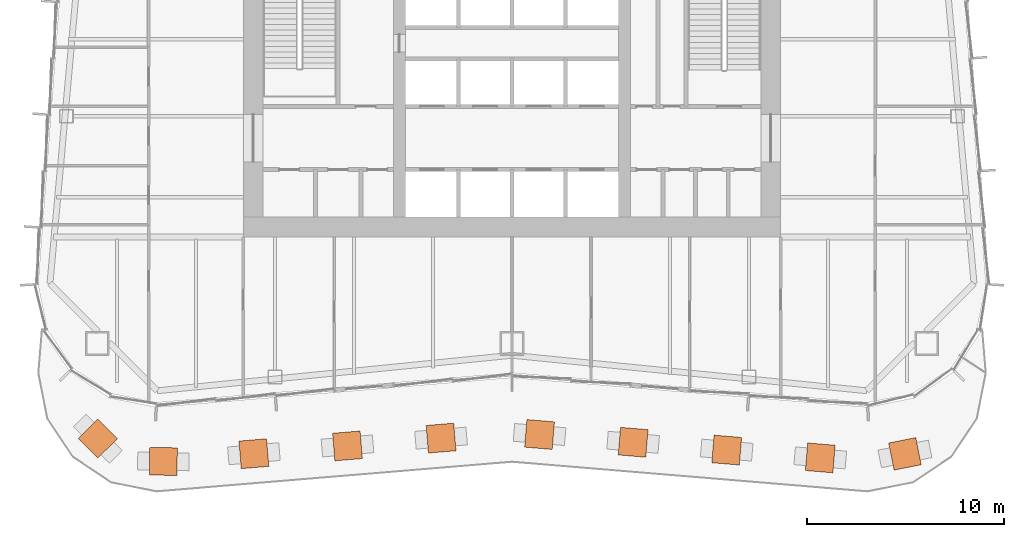
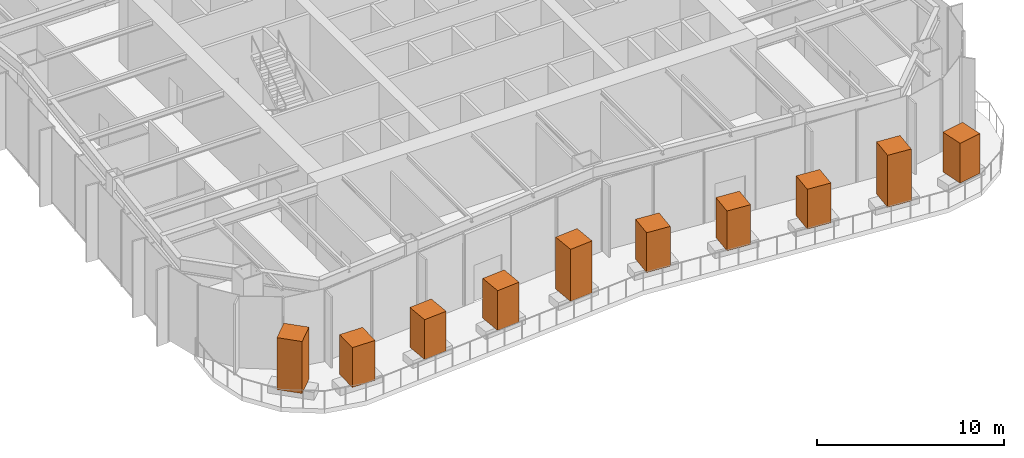
# One storey, part 15 of 15: 10 geographic elements.
"""IFC4 building model written with IfcOpenShell, lengths in metres."""

from ifc_helpers import new_model, si_unit, direction, frame, origin, origin_2d, place, context, subcontext, project, spatial, rectangle, extrude, material, type_object, element, save


model = new_model("IFC4")

# Units and contexts
model_context = context("Model", 3, precision=1e-05, world=origin(), true_north=direction((0.0, 1.0)))
body_context = subcontext(model_context, "Body", "Model", "MODEL_VIEW")
ifc_project = project(units=[si_unit("LENGTHUNIT", "METRE"), si_unit("AREAUNIT", "SQUARE_METRE"), si_unit("VOLUMEUNIT", "CUBIC_METRE"), si_unit("PLANEANGLEUNIT", "RADIAN"), si_unit("MASSUNIT", "GRAM", prefix="KILO")], contexts=[model_context])

# Site, building, storey
site_placement = place(None, origin())
site = spatial("IfcSite", under=ifc_project, at=site_placement, CompositionType="ELEMENT")
building_placement = place(site_placement, origin())
building = spatial("IfcBuilding", under=site, at=building_placement, Name="Verdant Reach Tower", CompositionType="ELEMENT")
storey_placement = place(building_placement, frame((0.0, 0.0, 121.0)))
storey = spatial("IfcBuildingStorey", under=building, at=storey_placement, Name="L27", CompositionType="ELEMENT", Elevation=121.0)

# Geographic elements
ifc_material = material(Name="Planting")
geographic_element_type_1 = type_object("IfcGeographicElementType", Name="EN-TREE", PredefinedType="USERDEFINED", material=ifc_material)
for number, where, z_axis, x_axis, name in (
    (1, (19.896484375, 6.406494140625, 0.5), (0.0, 0.0, 1.0), (-0.980787134599, -0.195081000112, 0.0), "Terrace tree, Surinam cherry (Eugenia uniflora), L27 1"),
    (2, (10.8720703125, 6.59912109375, 0.5), (0.0, 0.0, 1.0), (-0.996545758244, 0.083045479859, 0.0), "Terrace tree, Yellow trumpet tree (Handroanthus albus), L27 3"),
    (3, (6.133544921875, 6.994140625, 0.5), (0.0, 0.0, 1.0), (-0.996545758244, 0.083045479859, 0.0), "Terrace tree, Guabiroba (Campomanesia xanthocarpa), L27 4"),
    (4, (1.39501953125, 7.388916015625, 0.5), (0.0, 0.0, 1.0), (-0.996545758244, 0.083045479859, 0.0), "Terrace tree, Surinam cherry (Eugenia uniflora), L27 5"),
    (5, (-8.3310546875, 6.81103515625, 0.5), (0.0, 0.0, 1.0), (-0.996545758244, -0.083045479859, 0.0), "Terrace tree, Yellow trumpet tree (Handroanthus albus), L27 7"),
    (6, (-13.0693359375, 6.416015625, 0.5), (0.0, 0.0, 1.0), (-0.996545758244, -0.083045479859, 0.0), "Terrace tree, Guabiroba (Campomanesia xanthocarpa), L27 8"),
    (7, (-17.655517578125, 6.026123046875, 0.5), (0.0, 0.0, 1.0), (-0.999829793621, 0.018449492914, 0.0), "Terrace tree, Surinam cherry (Eugenia uniflora), L27 9"),
):
    element("IfcGeographicElement", number, at=place(storey_placement, frame(where, z_axis=z_axis, x_axis=x_axis)), inside=storey, type_object=geographic_element_type_1, Name=name, ObjectType="TREE", PredefinedType="USERDEFINED", context=body_context, shape_type="SweptSolid", body=[
        extrude(rectangle(XDim=1.39990234375, YDim=1.39990234375, at=origin_2d()), origin(), (0.0, 0.0, 1.0), 2.60009765625),
    ])
geographic_element_type_2 = type_object("IfcGeographicElementType", Name="EN-TREE LARGE", PredefinedType="USERDEFINED", material=ifc_material)
for number, where, z_axis, x_axis, name in (
    (8, (15.6103515625, 6.204345703125, 0.5), (0.0, 0.0, 1.0), (-0.996545758244, 0.083045479859, 0.0), "Terrace tree, Queen palm (Syagrus romanzoffiana), L27 2"),
    (9, (-3.592529296875, 7.205810546875, 0.5), (0.0, 0.0, 1.0), (-0.996545758244, -0.083045479859, 0.0), "Terrace tree, Queen palm (Syagrus romanzoffiana), L27 6"),
    (10, (-20.97412109375, 7.177734375, 0.5), (0.0, 0.0, 1.0), (-0.70436262677, 0.709840327122, 0.0), "Terrace tree, Queen palm (Syagrus romanzoffiana), L27 10"),
):
    element("IfcGeographicElement", number, at=place(storey_placement, frame(where, z_axis=z_axis, x_axis=x_axis)), inside=storey, type_object=geographic_element_type_2, Name=name, ObjectType="TREE", PredefinedType="USERDEFINED", context=body_context, shape_type="SweptSolid", body=[
        extrude(rectangle(XDim=1.39990234375, YDim=1.39990234375, at=origin_2d()), origin(), (0.0, 0.0, 1.0), 3.39990234375),
    ])

save(model, "model.ifc")
